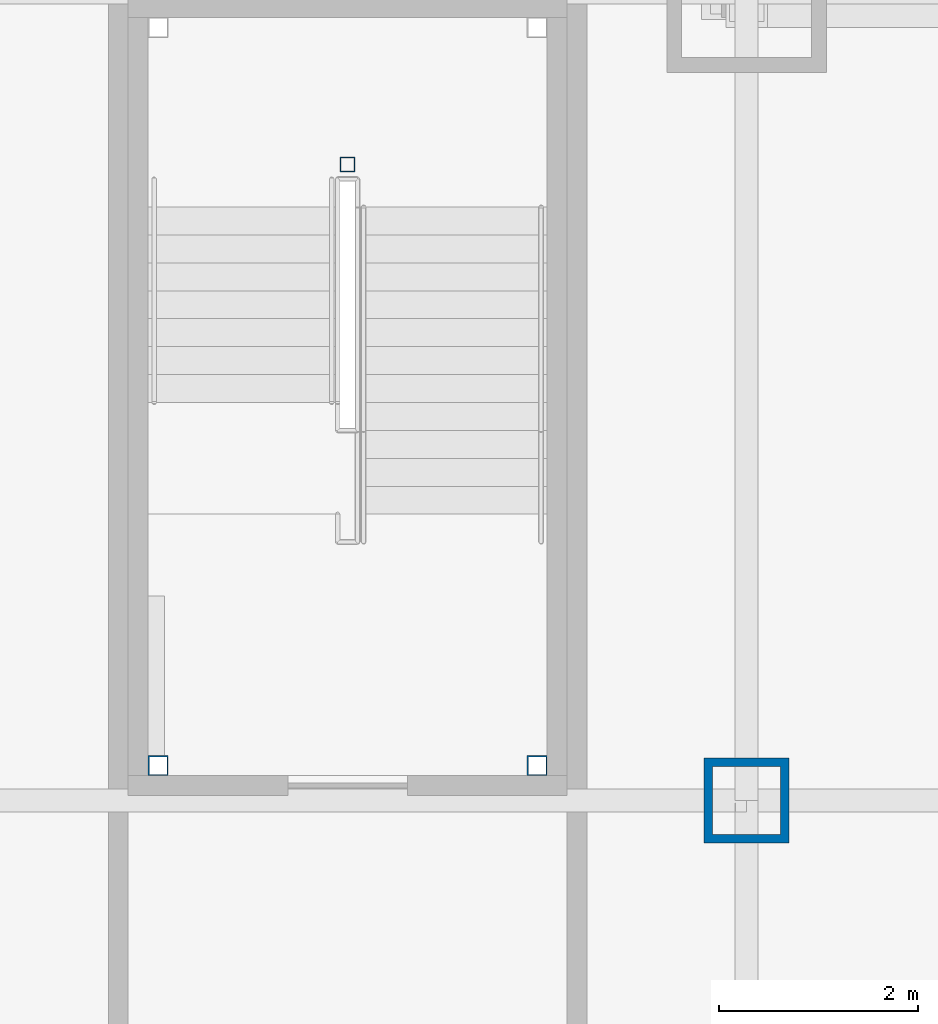
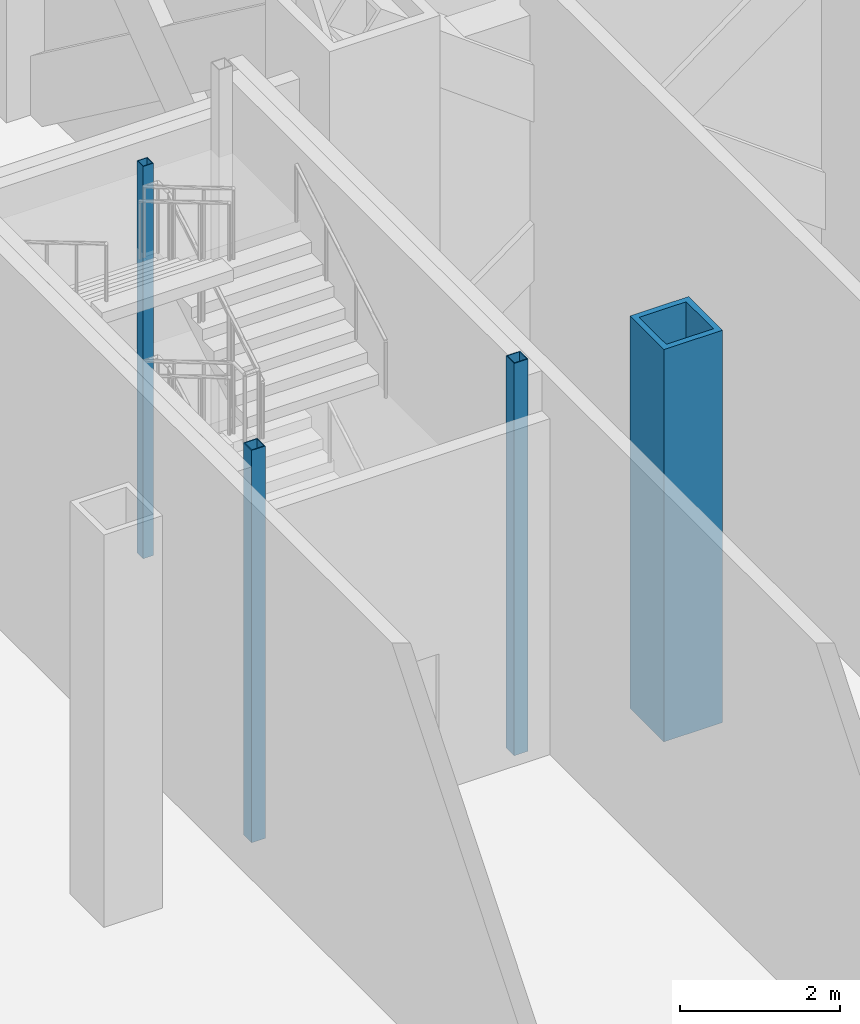
# One storey, part 2 of 35: 4 columns.
"""IFC4 building model written with IfcOpenShell, lengths in metres."""

from ifc_helpers import new_model, si_unit, direction, frame, origin, origin_2d, place, context, subcontext, project, spatial, hollow_rectangle, extrude, material, material_profile, profile_set, type_object, element, save


model = new_model("IFC4")

# Units and contexts
model_context = context("Model", 3, precision=1e-05, world=origin(), true_north=direction((0.0, 1.0)))
body_context = subcontext(model_context, "Body", "Model", "MODEL_VIEW")
ifc_project = project(units=[si_unit("LENGTHUNIT", "METRE"), si_unit("AREAUNIT", "SQUARE_METRE"), si_unit("VOLUMEUNIT", "CUBIC_METRE"), si_unit("PLANEANGLEUNIT", "RADIAN"), si_unit("MASSUNIT", "GRAM", prefix="KILO")], contexts=[model_context])

# Site, building, storey
site_placement = place(None, origin())
site = spatial("IfcSite", under=ifc_project, at=site_placement, CompositionType="ELEMENT")
building_placement = place(site_placement, origin())
building = spatial("IfcBuilding", under=site, at=building_placement, Name="Kopane Lantern Tower", CompositionType="ELEMENT")
storey_placement = place(building_placement, origin())
storey = spatial("IfcBuildingStorey", under=building, at=storey_placement, Name="L00", CompositionType="ELEMENT", Elevation=0.0)

# Columns
ifc_material_1 = material(Name="Steel S355JR", Category="steel")
ifc_material_profile_1 = material_profile(ifc_material_1, hollow_rectangle(XDim=0.85009765625, YDim=0.85009765625, WallThickness=0.0849609375, at=origin_2d()), Name="BOX 850x850x85")
ifc_profile_set_1 = profile_set([ifc_material_profile_1], Name="Steel S355JR")
column_type_1 = type_object("IfcColumnType", Name="COLUMN BOX 850x850x85", PredefinedType="COLUMN", material=ifc_profile_set_1)
column_1_placement = place(storey_placement, frame((16.199951171875, 16.199951171875, 0.0), z_axis=(0.0, 0.0, 1.0), x_axis=(1.0, 0.0, 0.0)))
element("IfcColumn", 1, at=column_1_placement, inside=storey, type_object=column_type_1, Name="Column 4/D L00", PredefinedType="COLUMN", context=body_context, shape_type="SweptSolid", body=[
    extrude(hollow_rectangle(XDim=0.85009765625, YDim=0.85009765625, WallThickness=0.0849609375, at=origin_2d()), origin(), (0.0, 0.0, 1.0), 6.0),
])
ifc_material_2 = material(Name="Steel S355JR", Category="steel")
ifc_material_profile_2 = material_profile(ifc_material_2, hollow_rectangle(XDim=0.14990234375, YDim=0.14990234375, WallThickness=0.010009765625, at=origin_2d()), Name="BOX 150x150x10")
ifc_profile_set_2 = profile_set([ifc_material_profile_2], Name="Steel S355JR")
column_type_2 = type_object("IfcColumnType", Name="STAIR NEWEL POST BOX 150x150x10", PredefinedType="COLUMN", material=ifc_profile_set_2)
column_2_placement = place(storey_placement, frame((12.199951171875, 22.574951171875, 0.0), z_axis=(0.0, 0.0, 1.0), x_axis=(1.0, 0.0, 0.0)))
element("IfcColumn", 2, at=column_2_placement, inside=storey, type_object=column_type_2, Name="Stair newel post ST3 NEWEL L00", PredefinedType="COLUMN", context=body_context, shape_type="SweptSolid", body=[
    extrude(hollow_rectangle(XDim=0.14990234375, YDim=0.14990234375, WallThickness=0.010009765625, at=origin_2d()), origin(), (0.0, 0.0, 1.0), 6.0),
])
ifc_material_3 = material(Name="Steel S355JR", Category="steel")
ifc_material_profile_3 = material_profile(ifc_material_3, hollow_rectangle(XDim=0.199951171875, YDim=0.199951171875, WallThickness=0.011962890625, at=origin_2d()), Name="BOX 200x200x12")
ifc_profile_set_3 = profile_set([ifc_material_profile_3], Name="Steel S355JR")
column_type_3 = type_object("IfcColumnType", Name="STAIR POST BOX 200x200x12", PredefinedType="COLUMN", material=ifc_profile_set_3)
for number, where, z_axis, x_axis, name in (
    (3, (10.300048828125, 16.550048828125, 0.0), (0.0, 0.0, 1.0), (1.0, 0.0, 0.0), "Stair post ST3 SW L00"),
    (4, (14.10009765625, 16.550048828125, 0.0), (0.0, 0.0, 1.0), (1.0, 0.0, 0.0), "Stair post ST3 SE L00"),
):
    element("IfcColumn", number, at=place(storey_placement, frame(where, z_axis=z_axis, x_axis=x_axis)), inside=storey, type_object=column_type_3, Name=name, PredefinedType="COLUMN", context=body_context, shape_type="SweptSolid", body=[
        extrude(hollow_rectangle(XDim=0.199951171875, YDim=0.199951171875, WallThickness=0.011962890625, at=origin_2d()), origin(), (0.0, 0.0, 1.0), 6.0),
    ])

save(model, "model.ifc")
